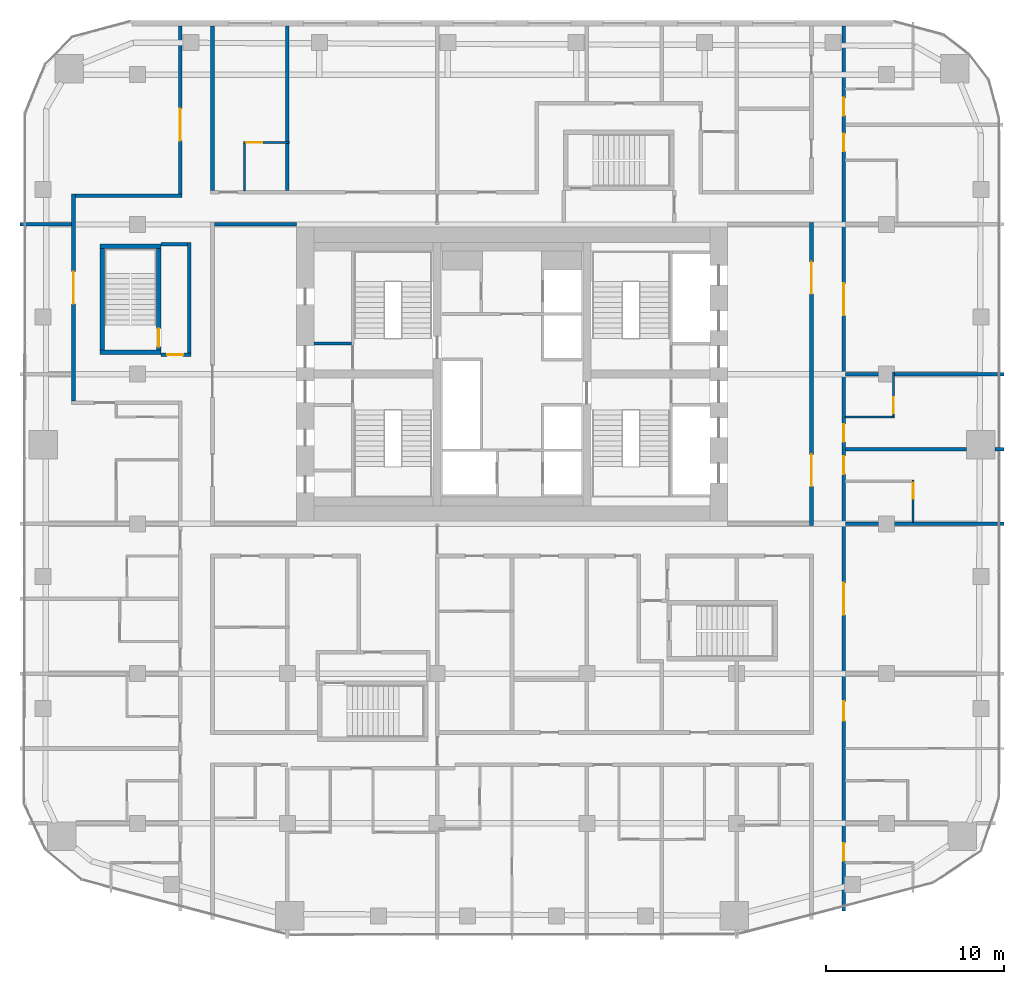
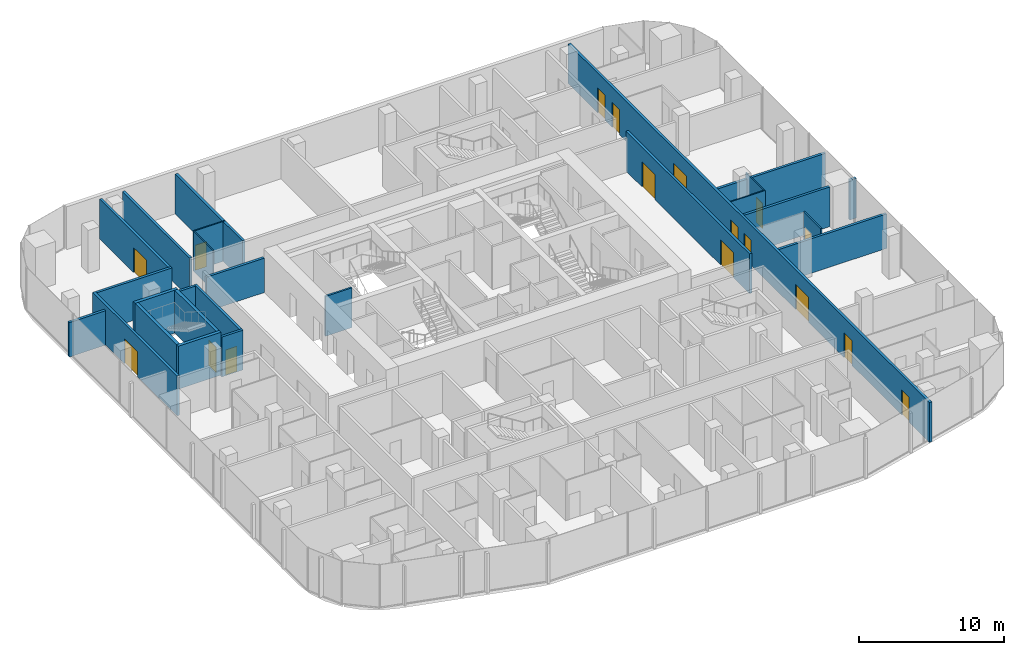
# One storey, part 18 of 23: 26 walls, 17 doors, 17 openings.
"""IFC4 building model written with IfcOpenShell, lengths in metres."""

from ifc_helpers import new_model, si_unit, direction, frame, frame_2d, origin, place, context, subcontext, project, spatial, rectangle, extrude, material, layer, layer_set, type_object, element, fill, save


model = new_model("IFC4")

# Units and contexts
model_context = context("Model", 3, precision=1e-05, world=origin(), true_north=direction((0.0, 1.0)))
body_context = subcontext(model_context, "Body", "Model", "MODEL_VIEW")
ifc_project = project(units=[si_unit("LENGTHUNIT", "METRE"), si_unit("AREAUNIT", "SQUARE_METRE"), si_unit("VOLUMEUNIT", "CUBIC_METRE"), si_unit("PLANEANGLEUNIT", "RADIAN"), si_unit("MASSUNIT", "GRAM", prefix="KILO")], contexts=[model_context])

# Site, building, storey
site_placement = place(None, origin())
site = spatial("IfcSite", under=ifc_project, at=site_placement, CompositionType="ELEMENT")
building_placement = place(site_placement, origin())
building = spatial("IfcBuilding", under=site, at=building_placement, Name="Marenta Gate Hotel Tower", CompositionType="ELEMENT")
storey_placement = place(building_placement, frame((0.0, 0.0, 155.300048828125)))
storey = spatial("IfcBuildingStorey", under=building, at=storey_placement, Name="L36", CompositionType="ELEMENT", Elevation=155.300048828125)

# Wall
ifc_material_1 = material(Name="Concrete blockwork", Category="masonry")
ifc_layer_1 = layer(ifc_material_1, 0.199951171875)
ifc_layer_set_1 = layer_set([ifc_layer_1], Name="Concrete blockwork")
wall_type_1 = type_object("IfcWallType", Name="Core boundary wall 200 REI 180", PredefinedType="PARTITIONING", material=ifc_layer_set_1)
wall_1_placement = place(storey_placement, frame((-16.699951171875, 16.800048828125, 0.0), z_axis=(0.0, 0.0, 1.0), x_axis=(1.0, 0.0, 0.0)))
element("IfcWall", 1, at=wall_1_placement, inside=storey, type_object=wall_type_1, Name="L36-CP-EW-WN", PredefinedType="PARTITIONING", context=body_context, shape_type="SweptSolid", body=[
    extrude(rectangle(XDim=4.599853515625, YDim=0.199951171875, at=frame_2d((2.2998046875, 0.0))), origin(), (0.0, 0.0, 1.0), 2.889892578125),
])

# Wall, openings, doors
wall_2_placement = place(storey_placement, frame((16.800048828125, -0.10009765625, 0.0), z_axis=(0.0, 0.0, 1.0), x_axis=(0.0, 1.0, 0.0)))
wall_2 = element("IfcWall", 2, at=wall_2_placement, inside=storey, type_object=wall_type_1, Name="L36-CP-BW-E", PredefinedType="PARTITIONING", context=body_context, shape_type="SweptSolid", body=[
    extrude(rectangle(XDim=17.0, YDim=0.199951171875, at=frame_2d((8.5, 0.0))), origin(), (0.0, 0.0, 1.0), 3.33984375),
])
opening_1_placement = place(wall_2_placement, frame((2.199951171875, 0.0, 0.0)))
opening_1 = element("IfcOpeningElement", 3, at=opening_1_placement, cuts=wall_2, Name="Opening ED-Ea-B", PredefinedType="OPENING", context=body_context, shape_type="SweptSolid", body=[
    extrude(rectangle(XDim=1.800048828125, YDim=2.10009765625, at=frame_2d((0.89990234375, 1.050048828125))), frame((0.0, 0.10009765625, 0.0), z_axis=(0.0, -1.0, 0.0), x_axis=(1.0, 0.0, 0.0)), (0.0, 0.0, 1.0), 0.199951171875),
])
opening_2_placement = place(wall_2_placement, frame((13.0, 0.0, 0.0)))
opening_2 = element("IfcOpeningElement", 4, at=opening_2_placement, cuts=wall_2, Name="Opening ED-Eb-B", PredefinedType="OPENING", context=body_context, shape_type="SweptSolid", body=[
    extrude(rectangle(XDim=1.800048828125, YDim=2.10009765625, at=frame_2d((0.89990234375, 1.050048828125))), frame((0.0, 0.10009765625, 0.0), z_axis=(0.0, -1.0, 0.0), x_axis=(1.0, 0.0, 0.0)), (0.0, 0.0, 1.0), 0.199951171875),
])
ifc_material_2 = material(Name="Steel", Category="steel")
door_type_1 = type_object("IfcDoorType", Name="Core lobby entrance door 1800x2100 EI 60", OperationType="DOUBLE_DOOR_SINGLE_SWING", PredefinedType="DOOR", material=ifc_material_2)
door_1_placement = place(opening_1_placement, origin())
door_1 = element("IfcDoor", 5, at=door_1_placement, inside=storey, type_object=door_type_1, Name="ED-Ea-B", OperationType="DOUBLE_DOOR_SINGLE_SWING", OverallHeight=2.10009765625, OverallWidth=1.800048828125, PredefinedType="DOOR", context=body_context, shape_type="SweptSolid", body=[
    extrude(rectangle(XDim=1.800048828125, YDim=2.10009765625, at=frame_2d((0.89990234375, 1.050048828125))), frame((0.0, 0.02490234375, 0.0), z_axis=(0.0, -1.0, 0.0), x_axis=(1.0, 0.0, 0.0)), (0.0, 0.0, 1.0), 0.050048828125),
])
fill(opening_1, door_1)
door_2_placement = place(opening_2_placement, origin())
door_2 = element("IfcDoor", 6, at=door_2_placement, inside=storey, type_object=door_type_1, Name="ED-Eb-B", OperationType="DOUBLE_DOOR_SINGLE_SWING", OverallHeight=2.10009765625, OverallWidth=1.800048828125, PredefinedType="DOOR", context=body_context, shape_type="SweptSolid", body=[
    extrude(rectangle(XDim=1.800048828125, YDim=2.10009765625, at=frame_2d((0.89990234375, 1.050048828125))), frame((0.0, 0.02490234375, 0.0), z_axis=(0.0, -1.0, 0.0), x_axis=(1.0, 0.0, 0.0)), (0.0, 0.0, 1.0), 0.050048828125),
])
fill(opening_2, door_2)

# Walls
ifc_material_3 = material(Name="Concrete blockwork", Category="masonry")
ifc_layer_2 = layer(ifc_material_3, 0.14990234375)
ifc_layer_set_2 = layer_set([ifc_layer_2], Name="Concrete blockwork")
wall_type_2 = type_object("IfcWallType", Name="Core room partition 150 REI 180", PredefinedType="PARTITIONING", material=ifc_layer_set_2)
wall_3_placement = place(storey_placement, frame((-11.10009765625, 10.125, 0.0), z_axis=(0.0, 0.0, 1.0), x_axis=(1.0, 0.0, 0.0)))
element("IfcWall", 7, at=wall_3_placement, inside=storey, type_object=wall_type_2, Name="L36-CP-SW-WN-2", PredefinedType="PARTITIONING", context=body_context, shape_type="SweptSolid", body=[
    extrude(rectangle(XDim=2.10009765625, YDim=0.14990234375, at=frame_2d((1.050048828125, 0.0))), origin(), (0.0, 0.0, 1.0), 3.33984375),
])
ifc_material_4 = material(Name="Concrete C40", Category="concrete")
ifc_layer_3 = layer(ifc_material_4, 0.25)
ifc_layer_set_3 = layer_set([ifc_layer_3], Name="Concrete C40")
wall_type_3 = type_object("IfcWallType", Name="Remote stair enclosure wall 250 REI 180", PredefinedType="SHEAR", material=ifc_layer_set_3)
for number, where, z_axis, x_axis, name in (
    (8, (-23.10009765625, 9.625, 0.099853515625), (0.0, 0.0, 1.0), (1.0, 0.0, 0.0), "L36-RS-Z1-3-W1"),
    (9, (-23.10009765625, 15.574951171875, 0.099853515625), (0.0, 0.0, 1.0), (1.0, 0.0, 0.0), "L36-RS-Z1-3-W2"),
):
    element("IfcWall", number, at=place(storey_placement, frame(where, z_axis=z_axis, x_axis=x_axis)), inside=storey, type_object=wall_type_3, Name=name, PredefinedType="SHEAR", context=body_context, shape_type="SweptSolid", body=[
        extrude(rectangle(XDim=3.400146484375, YDim=0.25, at=frame_2d((1.7001953125, 0.0))), origin(), (0.0, 0.0, 1.0), 3.60009765625),
    ])
wall_4_placement = place(storey_placement, frame((-22.97509765625, 9.75, 0.099853515625), z_axis=(0.0, 0.0, 1.0), x_axis=(0.0, 1.0, 0.0)))
element("IfcWall", 10, at=wall_4_placement, inside=storey, type_object=wall_type_3, Name="L36-RS-Z1-3-W3", PredefinedType="SHEAR", context=body_context, shape_type="SweptSolid", body=[
    extrude(rectangle(XDim=5.699951171875, YDim=0.25, at=frame_2d((2.85009765625, 0.0))), origin(), (0.0, 0.0, 1.0), 3.60009765625),
])

# Wall, opening, door
wall_5_placement = place(storey_placement, frame((-19.824951171875, 9.75, 0.099853515625), z_axis=(0.0, 0.0, 1.0), x_axis=(0.0, 1.0, 0.0)))
wall_5 = element("IfcWall", 11, at=wall_5_placement, inside=storey, type_object=wall_type_3, Name="L36-RS-Z1-3-W4", PredefinedType="SHEAR", context=body_context, shape_type="SweptSolid", body=[
    extrude(rectangle(XDim=5.699951171875, YDim=0.25, at=frame_2d((2.85009765625, 0.0))), origin(), (0.0, 0.0, 1.0), 3.60009765625),
])
opening_3_placement = place(wall_5_placement, frame((0.199951171875, 0.0, 0.0)))
opening_3 = element("IfcOpeningElement", 12, at=opening_3_placement, cuts=wall_5, Name="Opening VD", PredefinedType="OPENING", context=body_context, shape_type="SweptSolid", body=[
    extrude(rectangle(XDim=1.0, YDim=2.10009765625, at=frame_2d((0.5, 1.050048828125))), frame((0.0, 0.125, 0.0), z_axis=(0.0, -1.0, 0.0), x_axis=(1.0, 0.0, 0.0)), (0.0, 0.0, 1.0), 0.25),
])
ifc_material_5 = material(Name="Steel", Category="steel")
door_type_2 = type_object("IfcDoorType", Name="Stair vestibule door 1000x2100 FD60", OperationType="SINGLE_SWING_LEFT", PredefinedType="DOOR", material=ifc_material_5)
door_3_placement = place(opening_3_placement, origin())
door_3 = element("IfcDoor", 13, at=door_3_placement, inside=storey, type_object=door_type_2, Name="VD", OperationType="SINGLE_SWING_LEFT", OverallHeight=2.10009765625, OverallWidth=1.0, PredefinedType="DOOR", context=body_context, shape_type="SweptSolid", body=[
    extrude(rectangle(XDim=1.0, YDim=2.10009765625, at=frame_2d((0.5, 1.050048828125))), frame((0.0, 0.02490234375, 0.0), z_axis=(0.0, -1.0, 0.0), x_axis=(1.0, 0.0, 0.0)), (0.0, 0.0, 1.0), 0.050048828125),
])
fill(opening_3, door_3)

# Wall, openings, doors
ifc_material_6 = material(Name="Gypsum board on steel stud", Category="steel")
ifc_layer_4 = layer(ifc_material_6, 0.199951171875)
ifc_layer_set_4 = layer_set([ifc_layer_4], Name="Gypsum board on steel stud")
wall_type_4 = type_object("IfcWallType", Name="Room corridor wall 200 EI 60", PredefinedType="PARTITIONING", material=ifc_layer_set_4)
wall_6_placement = place(storey_placement, frame((18.60009765625, -21.7080078125, 0.0), z_axis=(0.0, 0.0, 1.0), x_axis=(0.0, 1.0, 0.0)))
wall_6 = element("IfcWall", 14, at=wall_6_placement, inside=storey, type_object=wall_type_4, Name="L36-PTN-W009", PredefinedType="PARTITIONING", context=body_context, shape_type="SweptSolid", body=[
    extrude(rectangle(XDim=49.64794921875, YDim=0.199951171875, at=frame_2d((24.823974609375, 0.0))), origin(), (0.0, 0.0, 1.0), 3.33984375),
])
opening_4_placement = place(wall_6_placement, frame((2.800048828125, 0.0, 0.0)))
opening_4 = element("IfcOpeningElement", 15, at=opening_4_placement, cuts=wall_6, Name="Opening G13-08", PredefinedType="OPENING", context=body_context, shape_type="SweptSolid", body=[
    extrude(rectangle(XDim=1.0, YDim=2.10009765625, at=frame_2d((0.5, 1.050048828125))), frame((0.0, 0.10009765625, 0.0), z_axis=(0.0, -1.0, 0.0), x_axis=(1.0, 0.0, 0.0)), (0.0, 0.0, 1.0), 0.199951171875),
])
opening_5_placement = place(wall_6_placement, frame((10.657958984375, 0.0, 0.0)))
opening_5 = element("IfcOpeningElement", 16, at=opening_5_placement, cuts=wall_6, Name="Opening G13-10", PredefinedType="OPENING", context=body_context, shape_type="SweptSolid", body=[
    extrude(rectangle(XDim=1.10009765625, YDim=2.10009765625, at=frame_2d((0.550048828125, 1.050048828125))), frame((0.0, 0.10009765625, 0.0), z_axis=(0.0, -1.0, 0.0), x_axis=(1.0, 0.0, 0.0)), (0.0, 0.0, 1.0), 0.199951171875),
])
opening_6_placement = place(wall_6_placement, frame((16.60791015625, 0.0, 0.0)))
opening_6 = element("IfcOpeningElement", 17, at=opening_6_placement, cuts=wall_6, Name="Opening G13-13", PredefinedType="OPENING", context=body_context, shape_type="SweptSolid", body=[
    extrude(rectangle(XDim=1.800048828125, YDim=2.10009765625, at=frame_2d((0.89990234375, 1.050048828125))), frame((0.0, 0.10009765625, 0.0), z_axis=(0.0, -1.0, 0.0), x_axis=(1.0, 0.0, 0.0)), (0.0, 0.0, 1.0), 0.199951171875),
])
opening_7_placement = place(wall_6_placement, frame((24.508056640625, 0.0, 0.0)))
opening_7 = element("IfcOpeningElement", 18, at=opening_7_placement, cuts=wall_6, Name="Opening G13-14", PredefinedType="OPENING", context=body_context, shape_type="SweptSolid", body=[
    extrude(rectangle(XDim=1.0, YDim=2.10009765625, at=frame_2d((0.5, 1.050048828125))), frame((0.0, 0.10009765625, 0.0), z_axis=(0.0, -1.0, 0.0), x_axis=(1.0, 0.0, 0.0)), (0.0, 0.0, 1.0), 0.199951171875),
])
opening_8_placement = place(wall_6_placement, frame((26.30810546875, 0.0, 0.0)))
opening_8 = element("IfcOpeningElement", 19, at=opening_8_placement, cuts=wall_6, Name="Opening G13-16", PredefinedType="OPENING", context=body_context, shape_type="SweptSolid", body=[
    extrude(rectangle(XDim=1.0, YDim=2.10009765625, at=frame_2d((0.5, 1.050048828125))), frame((0.0, 0.10009765625, 0.0), z_axis=(0.0, -1.0, 0.0), x_axis=(1.0, 0.0, 0.0)), (0.0, 0.0, 1.0), 0.199951171875),
])
opening_9_placement = place(wall_6_placement, frame((33.407958984375, 0.0, 0.0)))
opening_9 = element("IfcOpeningElement", 20, at=opening_9_placement, cuts=wall_6, Name="Opening G13-18", PredefinedType="OPENING", context=body_context, shape_type="SweptSolid", body=[
    extrude(rectangle(XDim=1.800048828125, YDim=2.10009765625, at=frame_2d((0.89990234375, 1.050048828125))), frame((0.0, 0.10009765625, 0.0), z_axis=(0.0, -1.0, 0.0), x_axis=(1.0, 0.0, 0.0)), (0.0, 0.0, 1.0), 0.199951171875),
])
opening_10_placement = place(wall_6_placement, frame((42.60791015625, 0.0, 0.0)))
opening_10 = element("IfcOpeningElement", 21, at=opening_10_placement, cuts=wall_6, Name="Opening G13-19", PredefinedType="OPENING", context=body_context, shape_type="SweptSolid", body=[
    extrude(rectangle(XDim=1.0, YDim=2.10009765625, at=frame_2d((0.5, 1.050048828125))), frame((0.0, 0.10009765625, 0.0), z_axis=(0.0, -1.0, 0.0), x_axis=(1.0, 0.0, 0.0)), (0.0, 0.0, 1.0), 0.199951171875),
])
opening_11_placement = place(wall_6_placement, frame((44.60791015625, 0.0, 0.0)))
opening_11 = element("IfcOpeningElement", 22, at=opening_11_placement, cuts=wall_6, Name="Opening G13-21", PredefinedType="OPENING", context=body_context, shape_type="SweptSolid", body=[
    extrude(rectangle(XDim=1.0, YDim=2.10009765625, at=frame_2d((0.5, 1.050048828125))), frame((0.0, 0.10009765625, 0.0), z_axis=(0.0, -1.0, 0.0), x_axis=(1.0, 0.0, 0.0)), (0.0, 0.0, 1.0), 0.199951171875),
])
ifc_material_7 = material(Name="Timber door leaf", Category="wood")
door_type_3 = type_object("IfcDoorType", Name="Guest room door 1000x2100 EI 30", OperationType="NOTDEFINED", PredefinedType="DOOR", material=ifc_material_7)
door_4_placement = place(opening_4_placement, origin())
door_4 = element("IfcDoor", 23, at=door_4_placement, inside=storey, type_object=door_type_3, Name="L36-PD-D008", OperationType="SINGLE_SWING_RIGHT", OverallHeight=2.10009765625, OverallWidth=1.0, PredefinedType="DOOR", context=body_context, shape_type="SweptSolid", body=[
    extrude(rectangle(XDim=1.0, YDim=2.10009765625, at=frame_2d((0.5, 1.050048828125))), frame((0.0, 0.02490234375, 0.0), z_axis=(0.0, -1.0, 0.0), x_axis=(1.0, 0.0, 0.0)), (0.0, 0.0, 1.0), 0.050048828125),
])
fill(opening_4, door_4)
door_5_placement = place(opening_7_placement, origin())
door_5 = element("IfcDoor", 24, at=door_5_placement, inside=storey, type_object=door_type_3, Name="L36-PD-D014", OperationType="SINGLE_SWING_RIGHT", OverallHeight=2.10009765625, OverallWidth=1.0, PredefinedType="DOOR", context=body_context, shape_type="SweptSolid", body=[
    extrude(rectangle(XDim=1.0, YDim=2.10009765625, at=frame_2d((0.5, 1.050048828125))), frame((0.0, 0.02490234375, 0.0), z_axis=(0.0, -1.0, 0.0), x_axis=(1.0, 0.0, 0.0)), (0.0, 0.0, 1.0), 0.050048828125),
])
fill(opening_7, door_5)
door_6_placement = place(opening_8_placement, origin())
door_6 = element("IfcDoor", 25, at=door_6_placement, inside=storey, type_object=door_type_3, Name="L36-PD-D016", OperationType="SINGLE_SWING_RIGHT", OverallHeight=2.10009765625, OverallWidth=1.0, PredefinedType="DOOR", context=body_context, shape_type="SweptSolid", body=[
    extrude(rectangle(XDim=1.0, YDim=2.10009765625, at=frame_2d((0.5, 1.050048828125))), frame((0.0, 0.02490234375, 0.0), z_axis=(0.0, -1.0, 0.0), x_axis=(1.0, 0.0, 0.0)), (0.0, 0.0, 1.0), 0.050048828125),
])
fill(opening_8, door_6)
door_7_placement = place(opening_10_placement, origin())
door_7 = element("IfcDoor", 26, at=door_7_placement, inside=storey, type_object=door_type_3, Name="L36-PD-D019", OperationType="SINGLE_SWING_LEFT", OverallHeight=2.10009765625, OverallWidth=1.0, PredefinedType="DOOR", context=body_context, shape_type="SweptSolid", body=[
    extrude(rectangle(XDim=1.0, YDim=2.10009765625, at=frame_2d((0.5, 1.050048828125))), frame((0.0, 0.02490234375, 0.0), z_axis=(0.0, -1.0, 0.0), x_axis=(1.0, 0.0, 0.0)), (0.0, 0.0, 1.0), 0.050048828125),
])
fill(opening_10, door_7)
door_8_placement = place(opening_11_placement, origin())
door_8 = element("IfcDoor", 27, at=door_8_placement, inside=storey, type_object=door_type_3, Name="L36-PD-D021", OperationType="SINGLE_SWING_LEFT", OverallHeight=2.10009765625, OverallWidth=1.0, PredefinedType="DOOR", context=body_context, shape_type="SweptSolid", body=[
    extrude(rectangle(XDim=1.0, YDim=2.10009765625, at=frame_2d((0.5, 1.050048828125))), frame((0.0, 0.02490234375, 0.0), z_axis=(0.0, -1.0, 0.0), x_axis=(1.0, 0.0, 0.0)), (0.0, 0.0, 1.0), 0.050048828125),
])
fill(opening_11, door_8)
ifc_material_8 = material(Name="Timber door leaf", Category="wood")
door_type_4 = type_object("IfcDoorType", Name="Guest room door 1100x2100 EI 30", OperationType="NOTDEFINED", PredefinedType="DOOR", material=ifc_material_8)
door_9_placement = place(opening_5_placement, origin())
door_9 = element("IfcDoor", 28, at=door_9_placement, inside=storey, type_object=door_type_4, Name="L36-PD-D010", OperationType="SINGLE_SWING_RIGHT", OverallHeight=2.10009765625, OverallWidth=1.10009765625, PredefinedType="DOOR", context=body_context, shape_type="SweptSolid", body=[
    extrude(rectangle(XDim=1.10009765625, YDim=2.10009765625, at=frame_2d((0.550048828125, 1.050048828125))), frame((0.0, 0.02490234375, 0.0), z_axis=(0.0, -1.0, 0.0), x_axis=(1.0, 0.0, 0.0)), (0.0, 0.0, 1.0), 0.050048828125),
])
fill(opening_5, door_9)
ifc_material_9 = material(Name="Timber door leaf", Category="wood")
door_type_5 = type_object("IfcDoorType", Name="Room amenity door 1800x2100 EI 30", OperationType="DOUBLE_DOOR_SINGLE_SWING", PredefinedType="DOOR", material=ifc_material_9)
door_10_placement = place(opening_6_placement, origin())
door_10 = element("IfcDoor", 29, at=door_10_placement, inside=storey, type_object=door_type_5, Name="L36-PD-D013", OperationType="DOUBLE_DOOR_SINGLE_SWING", OverallHeight=2.10009765625, OverallWidth=1.800048828125, PredefinedType="DOOR", context=body_context, shape_type="SweptSolid", body=[
    extrude(rectangle(XDim=1.800048828125, YDim=2.10009765625, at=frame_2d((0.89990234375, 1.050048828125))), frame((0.0, 0.02490234375, 0.0), z_axis=(0.0, -1.0, 0.0), x_axis=(1.0, 0.0, 0.0)), (0.0, 0.0, 1.0), 0.050048828125),
])
fill(opening_6, door_10)
door_11_placement = place(opening_9_placement, origin())
door_11 = element("IfcDoor", 30, at=door_11_placement, inside=storey, type_object=door_type_5, Name="L36-PD-D018", OperationType="DOUBLE_DOOR_SINGLE_SWING", OverallHeight=2.10009765625, OverallWidth=1.800048828125, PredefinedType="DOOR", context=body_context, shape_type="SweptSolid", body=[
    extrude(rectangle(XDim=1.800048828125, YDim=2.10009765625, at=frame_2d((0.89990234375, 1.050048828125))), frame((0.0, 0.02490234375, 0.0), z_axis=(0.0, -1.0, 0.0), x_axis=(1.0, 0.0, 0.0)), (0.0, 0.0, 1.0), 0.050048828125),
])
fill(opening_9, door_11)

# Walls
wall_7_placement = place(storey_placement, frame((-16.800048828125, 18.699951171875, 0.0), z_axis=(0.0, 0.0, 1.0), x_axis=(0.0, 1.0, 0.0)))
element("IfcWall", 31, at=wall_7_placement, inside=storey, type_object=wall_type_4, Name="L36-PTN-W096", PredefinedType="PARTITIONING", context=body_context, shape_type="SweptSolid", body=[
    extrude(rectangle(XDim=9.239990234375, YDim=0.199951171875, at=frame_2d((4.6201171875, 0.0))), origin(), (0.0, 0.0, 1.0), 3.33984375),
])
wall_8_placement = place(storey_placement, frame((-24.5, 18.39990234375, 0.0), z_axis=(0.0, 0.0, 1.0), x_axis=(1.0, 0.0, 0.0)))
element("IfcWall", 32, at=wall_8_placement, inside=storey, type_object=wall_type_4, Name="L36-PTN-W100", PredefinedType="PARTITIONING", context=body_context, shape_type="SweptSolid", body=[
    extrude(rectangle(XDim=6.0, YDim=0.199951171875, at=frame_2d((3.0, 0.0))), origin(), (0.0, 0.0, 1.0), 3.33984375),
])

# Wall, opening, door
wall_9_placement = place(storey_placement, frame((-18.60009765625, 18.5, 0.0), z_axis=(0.0, 0.0, 1.0), x_axis=(0.0, 1.0, 0.0)))
wall_9 = element("IfcWall", 33, at=wall_9_placement, inside=storey, type_object=wall_type_4, Name="L36-PTN-W102", PredefinedType="PARTITIONING", context=body_context, shape_type="SweptSolid", body=[
    extrude(rectangle(XDim=9.43994140625, YDim=0.199951171875, at=frame_2d((4.719970703125, 0.0))), origin(), (0.0, 0.0, 1.0), 3.33984375),
])
opening_12_placement = place(wall_9_placement, frame((3.0, 0.0, 0.0)))
opening_12 = element("IfcOpeningElement", 34, at=opening_12_placement, cuts=wall_9, Name="Opening G13-57", PredefinedType="OPENING", context=body_context, shape_type="SweptSolid", body=[
    extrude(rectangle(XDim=1.800048828125, YDim=2.10009765625, at=frame_2d((0.89990234375, 1.050048828125))), frame((0.0, 0.10009765625, 0.0), z_axis=(0.0, -1.0, 0.0), x_axis=(1.0, 0.0, 0.0)), (0.0, 0.0, 1.0), 0.199951171875),
])
door_12_placement = place(opening_12_placement, origin())
door_12 = element("IfcDoor", 35, at=door_12_placement, inside=storey, type_object=door_type_5, Name="L36-PD-D057", OperationType="DOUBLE_DOOR_SINGLE_SWING", OverallHeight=2.10009765625, OverallWidth=1.800048828125, PredefinedType="DOOR", context=body_context, shape_type="SweptSolid", body=[
    extrude(rectangle(XDim=1.800048828125, YDim=2.10009765625, at=frame_2d((0.89990234375, 1.050048828125))), frame((0.0, 0.02490234375, 0.0), z_axis=(0.0, -1.0, 0.0), x_axis=(1.0, 0.0, 0.0)), (0.0, 0.0, 1.0), 0.050048828125),
])
fill(opening_12, door_12)

wall_10_placement = place(storey_placement, frame((-24.60009765625, 6.89990234375, 0.0), z_axis=(0.0, 0.0, 1.0), x_axis=(0.0, 1.0, 0.0)))
wall_10 = element("IfcWall", 36, at=wall_10_placement, inside=storey, type_object=wall_type_4, Name="L36-PTN-W119", PredefinedType="PARTITIONING", context=body_context, shape_type="SweptSolid", body=[
    extrude(rectangle(XDim=11.60009765625, YDim=0.199951171875, at=frame_2d((5.800048828125, 0.0))), origin(), (0.0, 0.0, 1.0), 3.33984375),
])
opening_13_placement = place(wall_10_placement, frame((5.449951171875, 0.0, 0.0)))
opening_13 = element("IfcOpeningElement", 37, at=opening_13_placement, cuts=wall_10, Name="Opening G13-56", PredefinedType="OPENING", context=body_context, shape_type="SweptSolid", body=[
    extrude(rectangle(XDim=1.800048828125, YDim=2.10009765625, at=frame_2d((0.89990234375, 1.050048828125))), frame((0.0, 0.10009765625, 0.0), z_axis=(0.0, -1.0, 0.0), x_axis=(1.0, 0.0, 0.0)), (0.0, 0.0, 1.0), 0.199951171875),
])
door_13_placement = place(opening_13_placement, origin())
door_13 = element("IfcDoor", 38, at=door_13_placement, inside=storey, type_object=door_type_5, Name="L36-PD-D056", OperationType="DOUBLE_DOOR_SINGLE_SWING", OverallHeight=2.10009765625, OverallWidth=1.800048828125, PredefinedType="DOOR", context=body_context, shape_type="SweptSolid", body=[
    extrude(rectangle(XDim=1.800048828125, YDim=2.10009765625, at=frame_2d((0.89990234375, 1.050048828125))), frame((0.0, 0.02490234375, 0.0), z_axis=(0.0, -1.0, 0.0), x_axis=(1.0, 0.0, 0.0)), (0.0, 0.0, 1.0), 0.050048828125),
])
fill(opening_13, door_13)

ifc_material_10 = material(Name="Concrete blockwork", Category="masonry")
ifc_layer_5 = layer(ifc_material_10, 0.199951171875)
ifc_layer_set_5 = layer_set([ifc_layer_5], Name="Concrete blockwork")
wall_type_5 = type_object("IfcWallType", Name="Room corridor wall 200 REI 180", PredefinedType="PARTITIONING", material=ifc_layer_set_5)
wall_11_placement = place(storey_placement, frame((-19.699951171875, 9.5, 0.0), z_axis=(0.0, 0.0, 1.0), x_axis=(1.0, 0.0, 0.0)))
wall_11 = element("IfcWall", 39, at=wall_11_placement, inside=storey, type_object=wall_type_5, Name="L36-PTN-W085", PredefinedType="PARTITIONING", context=body_context, shape_type="SweptSolid", body=[
    extrude(rectangle(XDim=1.699951171875, YDim=0.199951171875, at=frame_2d((0.85009765625, 0.0))), origin(), (0.0, 0.0, 1.0), 3.33984375),
])
opening_14_placement = place(wall_11_placement, frame((0.35009765625, 0.0, 0.0)))
opening_14 = element("IfcOpeningElement", 40, at=opening_14_placement, cuts=wall_11, Name="Opening G13-58", PredefinedType="OPENING", context=body_context, shape_type="SweptSolid", body=[
    extrude(rectangle(XDim=0.89990234375, YDim=2.10009765625, at=frame_2d((0.449951171875, 1.050048828125))), frame((0.0, 0.10009765625, 0.0), z_axis=(0.0, -1.0, 0.0), x_axis=(1.0, 0.0, 0.0)), (0.0, 0.0, 1.0), 0.199951171875),
])
ifc_material_11 = material(Name="Hollow steel door set", Category="steel")
door_type_6 = type_object("IfcDoorType", Name="Stair vestibule door 900x2100 EI 60", OperationType="NOTDEFINED", PredefinedType="DOOR", material=ifc_material_11)
door_14_placement = place(opening_14_placement, origin())
door_14 = element("IfcDoor", 41, at=door_14_placement, inside=storey, type_object=door_type_6, Name="L36-PD-D058", OperationType="SINGLE_SWING_RIGHT", OverallHeight=2.10009765625, OverallWidth=0.89990234375, PredefinedType="DOOR", context=body_context, shape_type="SweptSolid", body=[
    extrude(rectangle(XDim=0.89990234375, YDim=2.10009765625, at=frame_2d((0.449951171875, 1.050048828125))), frame((0.0, 0.02490234375, 0.0), z_axis=(0.0, -1.0, 0.0), x_axis=(1.0, 0.0, 0.0)), (0.0, 0.0, 1.0), 0.050048828125),
])
fill(opening_14, door_14)

# Walls
wall_12_placement = place(storey_placement, frame((-19.699951171875, 15.699951171875, 0.0), z_axis=(0.0, 0.0, 1.0), x_axis=(1.0, 0.0, 0.0)))
element("IfcWall", 42, at=wall_12_placement, inside=storey, type_object=wall_type_5, Name="L36-PTN-W093", PredefinedType="PARTITIONING", context=body_context, shape_type="SweptSolid", body=[
    extrude(rectangle(XDim=1.5, YDim=0.199951171875, at=frame_2d((0.75, 0.0))), origin(), (0.0, 0.0, 1.0), 3.33984375),
])
wall_13_placement = place(storey_placement, frame((-18.10009765625, 9.60009765625, 0.0), z_axis=(0.0, 0.0, 1.0), x_axis=(0.0, 1.0, 0.0)))
element("IfcWall", 43, at=wall_13_placement, inside=storey, type_object=wall_type_5, Name="L36-PTN-W099", PredefinedType="PARTITIONING", context=body_context, shape_type="SweptSolid", body=[
    extrude(rectangle(XDim=6.199951171875, YDim=0.199951171875, at=frame_2d((3.10009765625, 0.0))), origin(), (0.0, 0.0, 1.0), 3.33984375),
])

# Wall, opening, door
ifc_material_12 = material(Name="Gypsum board on steel stud", Category="steel")
ifc_layer_6 = layer(ifc_material_12, 0.10009765625)
ifc_layer_set_6 = layer_set([ifc_layer_6], Name="Gypsum board on steel stud")
wall_type_6 = type_object("IfcWallType", Name="Room partition 100", PredefinedType="PARTITIONING", material=ifc_layer_set_6)
wall_14_placement = place(storey_placement, frame((22.5, 0.10009765625, 0.0), z_axis=(0.0, 0.0, 1.0), x_axis=(0.0, 1.0, 0.0)))
wall_14 = element("IfcWall", 44, at=wall_14_placement, inside=storey, type_object=wall_type_6, Name="L36-PTN-W002", PredefinedType="PARTITIONING", context=body_context, shape_type="SweptSolid", body=[
    extrude(rectangle(XDim=2.349853515625, YDim=0.10009765625, at=frame_2d((1.1748046875, 0.0))), origin(), (0.0, 0.0, 1.0), 3.33984375),
])
opening_15_placement = place(wall_14_placement, frame((1.300048828125, 0.0, 0.0)))
opening_15 = element("IfcOpeningElement", 45, at=opening_15_placement, cuts=wall_14, Name="Opening G13-15", PredefinedType="OPENING", context=body_context, shape_type="SweptSolid", body=[
    extrude(rectangle(XDim=0.89990234375, YDim=2.10009765625, at=frame_2d((0.449951171875, 1.050048828125))), frame((0.0, 0.050048828125, 0.0), z_axis=(0.0, -1.0, 0.0), x_axis=(1.0, 0.0, 0.0)), (0.0, 0.0, 1.0), 0.10009765625),
])
ifc_material_13 = material(Name="Timber door leaf", Category="wood")
door_type_7 = type_object("IfcDoorType", Name="Guest bathroom door 900x2100", OperationType="NOTDEFINED", PredefinedType="DOOR", material=ifc_material_13)
door_15_placement = place(opening_15_placement, origin())
door_15 = element("IfcDoor", 46, at=door_15_placement, inside=storey, type_object=door_type_7, Name="L36-PD-D015", OperationType="SINGLE_SWING_RIGHT", OverallHeight=2.10009765625, OverallWidth=0.89990234375, PredefinedType="DOOR", context=body_context, shape_type="SweptSolid", body=[
    extrude(rectangle(XDim=0.89990234375, YDim=2.10009765625, at=frame_2d((0.449951171875, 1.050048828125))), frame((0.0, 0.02490234375, 0.0), z_axis=(0.0, -1.0, 0.0), x_axis=(1.0, 0.0, 0.0)), (0.0, 0.0, 1.0), 0.050048828125),
])
fill(opening_15, door_15)

wall_15_placement = place(storey_placement, frame((21.39990234375, 6.050048828125, 0.0), z_axis=(0.0, 0.0, 1.0), x_axis=(0.0, 1.0, 0.0)))
wall_15 = element("IfcWall", 47, at=wall_15_placement, inside=storey, type_object=wall_type_6, Name="L36-PTN-W006", PredefinedType="PARTITIONING", context=body_context, shape_type="SweptSolid", body=[
    extrude(rectangle(XDim=2.449951171875, YDim=0.10009765625, at=frame_2d((1.22509765625, 0.0))), origin(), (0.0, 0.0, 1.0), 3.33984375),
])
opening_16_placement = place(wall_15_placement, frame((0.14990234375, 0.0, 0.0)))
opening_16 = element("IfcOpeningElement", 48, at=opening_16_placement, cuts=wall_15, Name="Opening G13-17", PredefinedType="OPENING", context=body_context, shape_type="SweptSolid", body=[
    extrude(rectangle(XDim=0.89990234375, YDim=2.10009765625, at=frame_2d((0.449951171875, 1.050048828125))), frame((0.0, 0.050048828125, 0.0), z_axis=(0.0, -1.0, 0.0), x_axis=(1.0, 0.0, 0.0)), (0.0, 0.0, 1.0), 0.10009765625),
])
door_16_placement = place(opening_16_placement, origin())
door_16 = element("IfcDoor", 49, at=door_16_placement, inside=storey, type_object=door_type_7, Name="L36-PD-D017", OperationType="SINGLE_SWING_LEFT", OverallHeight=2.10009765625, OverallWidth=0.89990234375, PredefinedType="DOOR", context=body_context, shape_type="SweptSolid", body=[
    extrude(rectangle(XDim=0.89990234375, YDim=2.10009765625, at=frame_2d((0.449951171875, 1.050048828125))), frame((0.0, 0.02490234375, 0.0), z_axis=(0.0, -1.0, 0.0), x_axis=(1.0, 0.0, 0.0)), (0.0, 0.0, 1.0), 0.050048828125),
])
fill(opening_16, door_16)

# Walls
wall_16_placement = place(storey_placement, frame((18.699951171875, 6.0, 0.0), z_axis=(0.0, 0.0, 1.0), x_axis=(1.0, 0.0, 0.0)))
element("IfcWall", 50, at=wall_16_placement, inside=storey, type_object=wall_type_6, Name="L36-PTN-W079", PredefinedType="PARTITIONING", context=body_context, shape_type="SweptSolid", body=[
    extrude(rectangle(XDim=2.75, YDim=0.10009765625, at=frame_2d((1.375, 0.0))), origin(), (0.0, 0.0, 1.0), 3.33984375),
])
wall_17_placement = place(storey_placement, frame((-15.0, 18.699951171875, 0.0), z_axis=(0.0, 0.0, 1.0), x_axis=(0.0, 1.0, 0.0)))
element("IfcWall", 51, at=wall_17_placement, inside=storey, type_object=wall_type_6, Name="L36-PTN-W092", PredefinedType="PARTITIONING", context=body_context, shape_type="SweptSolid", body=[
    extrude(rectangle(XDim=2.650146484375, YDim=0.10009765625, at=frame_2d((1.3251953125, 0.0))), origin(), (0.0, 0.0, 1.0), 3.33984375),
])

# Wall, opening, door
wall_18_placement = place(storey_placement, frame((-15.050048828125, 21.39990234375, 0.0), z_axis=(0.0, 0.0, 1.0), x_axis=(1.0, 0.0, 0.0)))
wall_18 = element("IfcWall", 52, at=wall_18_placement, inside=storey, type_object=wall_type_6, Name="L36-PTN-W106", PredefinedType="PARTITIONING", context=body_context, shape_type="SweptSolid", body=[
    extrude(rectangle(XDim=2.550048828125, YDim=0.10009765625, at=frame_2d((1.27490234375, 0.0))), origin(), (0.0, 0.0, 1.0), 3.33984375),
])
opening_17_placement = place(wall_18_placement, frame((0.14990234375, 0.0, 0.0)))
opening_17 = element("IfcOpeningElement", 53, at=opening_17_placement, cuts=wall_18, Name="Opening G13-24", PredefinedType="OPENING", context=body_context, shape_type="SweptSolid", body=[
    extrude(rectangle(XDim=0.89990234375, YDim=2.10009765625, at=frame_2d((0.449951171875, 1.050048828125))), frame((0.0, 0.050048828125, 0.0), z_axis=(0.0, -1.0, 0.0), x_axis=(1.0, 0.0, 0.0)), (0.0, 0.0, 1.0), 0.10009765625),
])
door_17_placement = place(opening_17_placement, origin())
door_17 = element("IfcDoor", 54, at=door_17_placement, inside=storey, type_object=door_type_7, Name="L36-PD-D024", OperationType="SINGLE_SWING_RIGHT", OverallHeight=2.10009765625, OverallWidth=0.89990234375, PredefinedType="DOOR", context=body_context, shape_type="SweptSolid", body=[
    extrude(rectangle(XDim=0.89990234375, YDim=2.10009765625, at=frame_2d((0.449951171875, 1.050048828125))), frame((0.0, 0.02490234375, 0.0), z_axis=(0.0, -1.0, 0.0), x_axis=(1.0, 0.0, 0.0)), (0.0, 0.0, 1.0), 0.050048828125),
])
fill(opening_17, door_17)

# Walls
ifc_material_14 = material(Name="Gypsum board on steel stud", Category="steel")
ifc_layer_7 = layer(ifc_material_14, 0.199951171875)
ifc_layer_set_7 = layer_set([ifc_layer_7], Name="Gypsum board on steel stud")
wall_type_7 = type_object("IfcWallType", Name="Room party wall 200 EI 60", PredefinedType="PARTITIONING", material=ifc_layer_set_7)
wall_19_placement = place(storey_placement, frame((18.699951171875, 0.0, 0.0), z_axis=(0.0, 0.0, 1.0), x_axis=(1.0, 0.0, 0.0)))
element("IfcWall", 55, at=wall_19_placement, inside=storey, type_object=wall_type_7, Name="L36-PTN-W069", PredefinedType="PARTITIONING", context=body_context, shape_type="SweptSolid", body=[
    extrude(rectangle(XDim=8.900146484375, YDim=0.199951171875, at=frame_2d((4.4501953125, 0.0))), origin(), (0.0, 0.0, 1.0), 2.889892578125),
])
wall_20_placement = place(storey_placement, frame((18.699951171875, 4.199951171875, 0.0), z_axis=(0.0, 0.0, 1.0), x_axis=(1.0, 0.0, 0.0)))
element("IfcWall", 56, at=wall_20_placement, inside=storey, type_object=wall_type_7, Name="L36-PTN-W076", PredefinedType="PARTITIONING", context=body_context, shape_type="SweptSolid", body=[
    extrude(rectangle(XDim=6.800048828125, YDim=0.199951171875, at=frame_2d((3.39990234375, 0.0))), origin(), (0.0, 0.0, 1.0), 3.33984375),
])
wall_21_placement = place(storey_placement, frame((27.10009765625, 4.199951171875, 0.0), z_axis=(0.0, 0.0, 1.0), x_axis=(1.0, 0.0, 0.0)))
element("IfcWall", 57, at=wall_21_placement, inside=storey, type_object=wall_type_7, Name="L36-PTN-W123", PredefinedType="PARTITIONING", context=body_context, shape_type="SweptSolid", body=[
    extrude(rectangle(XDim=0.5, YDim=0.199951171875, at=frame_2d((0.25, 0.0))), origin(), (0.0, 0.0, 1.0), 3.33984375),
])
wall_22_placement = place(storey_placement, frame((18.699951171875, 8.39990234375, 0.0), z_axis=(0.0, 0.0, 1.0), x_axis=(1.0, 0.0, 0.0)))
element("IfcWall", 58, at=wall_22_placement, inside=storey, type_object=wall_type_7, Name="L36-PTN-W083", PredefinedType="PARTITIONING", context=body_context, shape_type="SweptSolid", body=[
    extrude(rectangle(XDim=8.900146484375, YDim=0.199951171875, at=frame_2d((4.4501953125, 0.0))), origin(), (0.0, 0.0, 1.0), 2.889892578125),
])
wall_23_placement = place(storey_placement, frame((-12.60009765625, 18.699951171875, 0.0), z_axis=(0.0, 0.0, 1.0), x_axis=(0.0, 1.0, 0.0)))
element("IfcWall", 59, at=wall_23_placement, inside=storey, type_object=wall_type_7, Name="L36-PTN-W090", PredefinedType="PARTITIONING", context=body_context, shape_type="SweptSolid", body=[
    extrude(rectangle(XDim=9.239990234375, YDim=0.199951171875, at=frame_2d((4.6201171875, 0.0))), origin(), (0.0, 0.0, 1.0), 3.33984375),
])
wall_24_placement = place(storey_placement, frame((-27.60009765625, 16.800048828125, 0.0), z_axis=(0.0, 0.0, 1.0), x_axis=(1.0, 0.0, 0.0)))
element("IfcWall", 60, at=wall_24_placement, inside=storey, type_object=wall_type_7, Name="L36-PTN-W097", PredefinedType="PARTITIONING", context=body_context, shape_type="SweptSolid", body=[
    extrude(rectangle(XDim=2.900146484375, YDim=0.199951171875, at=frame_2d((1.4501953125, 0.0))), origin(), (0.0, 0.0, 1.0), 2.889892578125),
])

save(model, "model.ifc")
